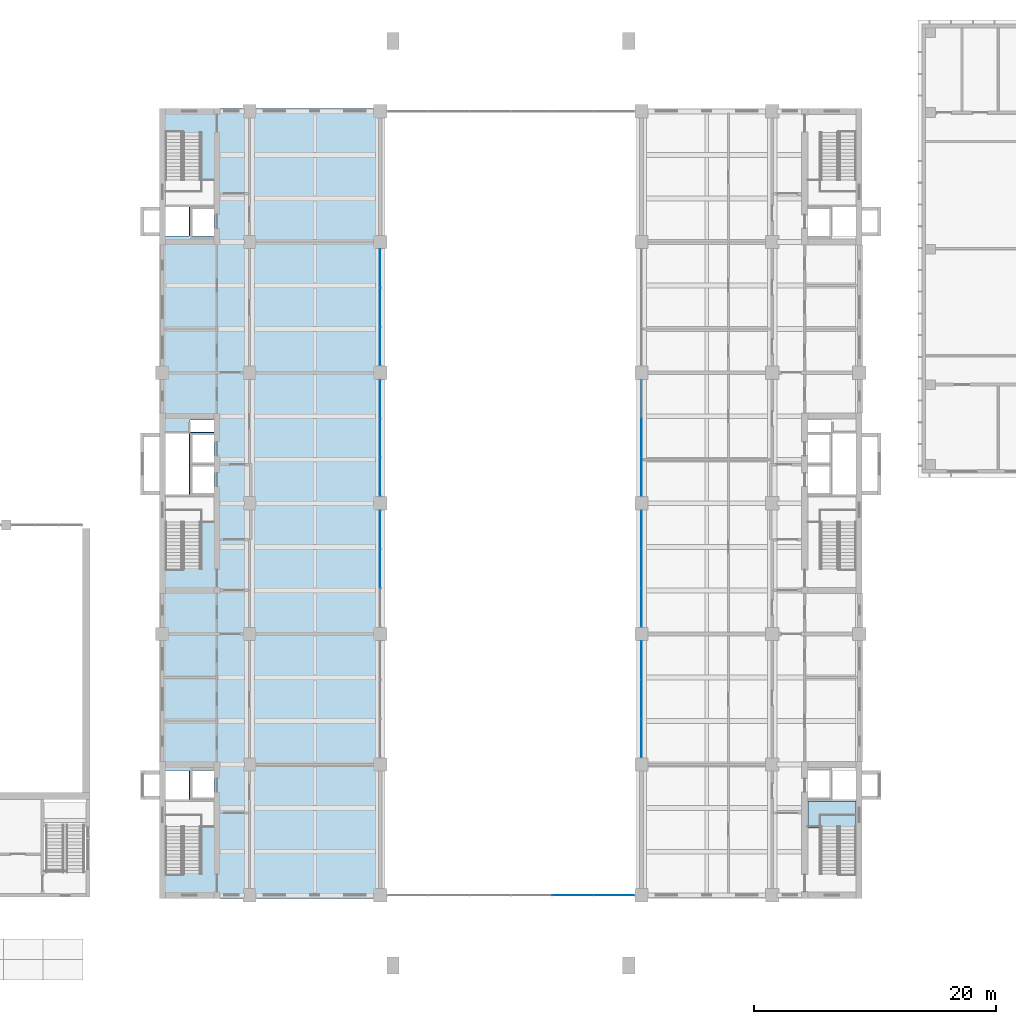
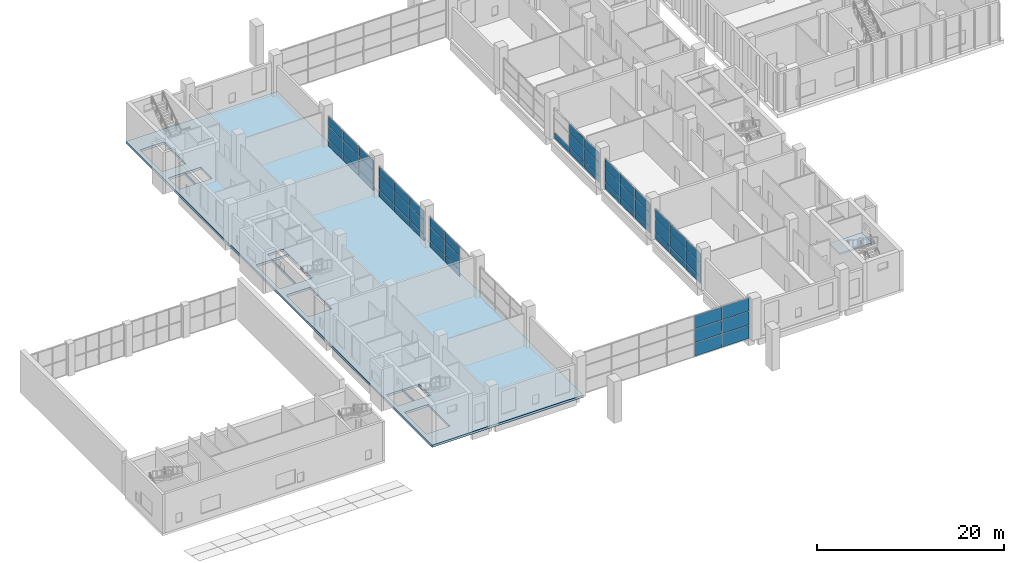
# One storey, part 15 of 33: 55 plates, 2 slabs, 8 elements without a shape of their own.
"""IFC4 building model written with IfcOpenShell, lengths in metres."""

import ifcopenshell
import ifcopenshell.guid

model = None  # the IFC model being written
_history = None  # IfcOwnerHistory: only IFC2X3 demands one
_inside = {}  # id of a spatial element -> (the spatial element, [elements in it])
_under = {}  # id of a project, library or spatial element -> (it, [spatial elements below it])
_declared = {}  # id of a project -> (the project, [libraries it declares])
_typed = {}  # id of a type object -> (the type object, [elements of that type])
_made_of = {}  # id of a material, layer set ... -> (it, [elements and type objects made of it])


def new_model(schema):
    """Start an empty IFC model of exactly this schema.

    Asked for "IFC4X3", IfcOpenShell would pick the latest addendum, in which some entities
    have other attributes; the version numbers below select the first issue.
    IFC2X3 requires an IfcOwnerHistory on every rooted entity: one is made here for all.
    """
    global model, _history
    if schema == "IFC4X3":
        model = ifcopenshell.file(schema_version=(4, 3, 0, 0))
    else:
        model = ifcopenshell.file(schema=schema)
    _inside.clear()
    _under.clear()
    _declared.clear()
    _typed.clear()
    _made_of.clear()
    _history = None
    if model.schema == "IFC2X3":
        org = make("IfcOrganization", Name="unknown")
        user = make(
            "IfcPersonAndOrganization",
            ThePerson=make("IfcPerson", FamilyName="unknown"),
            TheOrganization=org,
        )
        app = make(
            "IfcApplication",
            ApplicationDeveloper=org,
            Version="unknown",
            ApplicationFullName="unknown",
            ApplicationIdentifier="unknown",
        )
        _history = make(
            "IfcOwnerHistory",
            OwningUser=user,
            OwningApplication=app,
            ChangeAction="ADDED",
            CreationDate=0,
        )
    return model


def make(cls, **values):
    """One entity of the class cls with the attributes given. An attribute that is None is left unset."""
    return model.create_entity(
        cls, **{name: value for name, value in values.items() if value is not None}
    )


def rooted(cls, **values):
    """An entity with a GlobalId (a new one), such as an element, a storey or a relation."""
    return make(cls, GlobalId=ifcopenshell.guid.new(), OwnerHistory=_history, **values)


def si_unit(unit_type, name, prefix=None):
    """IfcSIUnit, for example si_unit("LENGTHUNIT", "METRE", prefix="MILLI")."""
    return make("IfcSIUnit", UnitType=unit_type, Prefix=prefix, Name=name)


def assignment(units):
    """IfcUnitAssignment: the units of a project."""
    return None if units is None else make("IfcUnitAssignment", Units=units)


def point(xyz):
    """IfcCartesianPoint."""
    return None if xyz is None else make("IfcCartesianPoint", Coordinates=xyz)


def direction(xyz):
    """IfcDirection."""
    return None if xyz is None else make("IfcDirection", DirectionRatios=xyz)


def frame(location, z_axis=None, x_axis=None):
    """IfcAxis2Placement3D, a coordinate frame: its origin and axes. An axis left out is left unset."""
    return make(
        "IfcAxis2Placement3D",
        Location=point(location),
        Axis=direction(z_axis),
        RefDirection=direction(x_axis),
    )


def frame_2d(location, x_axis=None):
    """IfcAxis2Placement2D, a coordinate frame in the plane: its origin and x axis."""
    return make(
        "IfcAxis2Placement2D", Location=point(location), RefDirection=direction(x_axis)
    )


def origin():
    """The frame at (0, 0, 0) with its axes left unset."""
    return frame((0.0, 0.0, 0.0))


def origin_2d():
    """The frame at (0, 0) in the plane with its x axis left unset."""
    return frame_2d((0.0, 0.0))


def place(relative_to, where):
    """IfcLocalPlacement: puts the frame where relative to a parent placement (None: the world)."""
    return make(
        "IfcLocalPlacement", PlacementRelTo=relative_to, RelativePlacement=where
    )


def context(
    kind, dimensions, precision=None, world=None, true_north=None, identifier=None
):
    """IfcGeometricRepresentationContext, for example the 3D "Model" context."""
    return make(
        "IfcGeometricRepresentationContext",
        ContextIdentifier=identifier,
        ContextType=kind,
        CoordinateSpaceDimension=dimensions,
        Precision=precision,
        WorldCoordinateSystem=world,
        TrueNorth=true_north,
    )


def subcontext(parent, identifier, kind, view, scale=None):
    """IfcGeometricRepresentationSubContext, for example "Body" below "Model"."""
    return make(
        "IfcGeometricRepresentationSubContext",
        ContextIdentifier=identifier,
        ContextType=kind,
        ParentContext=parent,
        TargetScale=scale,
        TargetView=view,
    )


def project(units=None, contexts=None):
    """IfcProject with its units and contexts."""
    return rooted(
        "IfcProject",
        Name="project",
        RepresentationContexts=contexts,
        UnitsInContext=assignment(units),
    )


def spatial(cls, under=None, at=None, **own):
    """A site, building, storey or space (cls), placed at a placement, below another one or the project."""
    s = rooted(cls, ObjectPlacement=at, **own)
    if under is not None:
        _under.setdefault(under.id(), (under, []))[1].append(s)
    return s


def polyline(points):
    """IfcPolyline through the points."""
    return make("IfcPolyline", Points=[point(p) for p in points])


def profile(cls, at=None, kind="AREA", **sizes):
    """A parametric profile (cls). Its sizes go by their IFC names, for example OverallWidth=200.0."""
    return make(cls, ProfileType=kind, Position=at, **sizes)


def rectangle(**sizes):
    """IfcRectangleProfileDef."""
    return profile("IfcRectangleProfileDef", **sizes)


def outline(outer, holes=None, kind="AREA"):
    """IfcArbitraryClosedProfileDef: a profile drawn as a closed curve; with holes, ...WithVoids."""
    if holes is None:
        return make("IfcArbitraryClosedProfileDef", ProfileType=kind, OuterCurve=outer)
    return make(
        "IfcArbitraryProfileDefWithVoids",
        ProfileType=kind,
        OuterCurve=outer,
        InnerCurves=holes,
    )


def extrude(swept, where, along, depth):
    """IfcExtrudedAreaSolid: the profile swept, set in the frame where, extruded along a direction by depth."""
    return make(
        "IfcExtrudedAreaSolid",
        SweptArea=swept,
        Position=where,
        ExtrudedDirection=direction(along),
        Depth=depth,
    )


def shape(context_of_items, identifier, shape_type, items):
    """IfcShapeRepresentation: the items that make up one representation, for example the "Body"."""
    return make(
        "IfcShapeRepresentation",
        ContextOfItems=context_of_items,
        RepresentationIdentifier=identifier,
        RepresentationType=shape_type,
        Items=items,
    )


def material(Name=None, Category=None):
    """IfcMaterial."""
    return make("IfcMaterial", Name=Name, Category=Category)


def layer(
    of_material, thickness, ventilated=None, Name=None, Category=None, Priority=None
):
    """IfcMaterialLayer: one layer of a wall or slab, of a material (None: an air gap)."""
    return make(
        "IfcMaterialLayer",
        Material=of_material,
        LayerThickness=thickness,
        IsVentilated=ventilated,
        Name=Name,
        Category=Category,
        Priority=Priority,
    )


def layer_set(layers, Name=None):
    """IfcMaterialLayerSet."""
    return make("IfcMaterialLayerSet", MaterialLayers=layers, LayerSetName=Name)


def made_of(thing, what):
    """Note that an element or type object is made of a material, layer set ...; save() writes the relation."""
    if what is not None:
        _made_of.setdefault(what.id(), (what, []))[1].append(thing)
    return thing


def type_object(cls, material=None, **own):
    """A type object (cls), such as IfcWallType, which elements share."""
    return made_of(rooted(cls, **own), material)


def element(
    cls,
    number,
    at=None,
    inside=None,
    cuts=None,
    type_object=None,
    material=None,
    context=None,
    identifier="Body",
    shape_type=None,
    held_by="IfcProductDefinitionShape",
    body=None,
    shapes=None,
    **own,
):
    """One element of the class cls, such as IfcWall. Its Tag is "e" and its number.

    at: its placement. inside: the storey or other place that contains it. cuts: it is an
    opening in that element (IfcRelVoidsElement). A single representation is given by context,
    identifier, shape_type and body (its items); several are given by shapes. held_by: the class
    of the entity that holds the representations. save() writes the other relations.
    """
    e = rooted(cls, Tag="e%d" % number, ObjectPlacement=at, **own)
    if body is not None:
        shapes = [shape(context, identifier, shape_type, body)]
    if shapes is not None:
        e.Representation = make(held_by, Representations=shapes)
    if inside is not None:
        _inside.setdefault(inside.id(), (inside, []))[1].append(e)
    if cuts is not None:
        rooted(
            "IfcRelVoidsElement", RelatingBuildingElement=cuts, RelatedOpeningElement=e
        )
    if type_object is not None:
        _typed.setdefault(type_object.id(), (type_object, []))[1].append(e)
    return made_of(e, material)


def aggregate(whole, parts):
    """IfcRelAggregates: a whole, such as a stair, and the parts it consists of."""
    return rooted("IfcRelAggregates", RelatingObject=whole, RelatedObjects=parts)


def save(model, path):
    """Write the relations noted so far, then the file.

    IfcRelAggregates (storeys below a building ...), IfcRelContainedInSpatialStructure (elements
    in a storey), IfcRelDefinesByType, IfcRelAssociatesMaterial and IfcRelDeclares: one each for
    every whole, place, type object, material and project.
    """
    for whole, parts in _under.values():
        aggregate(whole, parts)
    for where, things in _inside.values():
        rooted(
            "IfcRelContainedInSpatialStructure",
            RelatedElements=things,
            RelatingStructure=where,
        )
    for kind, things in _typed.values():
        rooted("IfcRelDefinesByType", RelatedObjects=things, RelatingType=kind)
    for what, things in _made_of.values():
        rooted("IfcRelAssociatesMaterial", RelatedObjects=things, RelatingMaterial=what)
    for by, libraries in _declared.values():
        rooted("IfcRelDeclares", RelatingContext=by, RelatedDefinitions=libraries)
    model.write(path)


model = new_model("IFC4")

# Units and contexts
model_context = context("Model", 3, precision=1e-05, world=origin(), true_north=direction((0.0, 1.0)))
body_context = subcontext(model_context, "Body", "Model", "MODEL_VIEW")
ifc_project = project(units=[si_unit("LENGTHUNIT", "METRE"), si_unit("AREAUNIT", "SQUARE_METRE"), si_unit("VOLUMEUNIT", "CUBIC_METRE"), si_unit("PLANEANGLEUNIT", "RADIAN"), si_unit("MASSUNIT", "GRAM", prefix="KILO")], contexts=[model_context])

# Site, building, storey
site_placement = place(None, origin())
site = spatial("IfcSite", under=ifc_project, at=site_placement, CompositionType="ELEMENT")
building_placement = place(site_placement, origin())
building = spatial("IfcBuilding", under=site, at=building_placement, Name="Basin Gate Institute", CompositionType="ELEMENT")
storey_placement = place(building_placement, frame((0.0, 0.0, 6.0)))
storey = spatial("IfcBuildingStorey", under=building, at=storey_placement, Name="L01", CompositionType="ELEMENT", Elevation=6.0)

# Curtain wall, plates
ifc_material_1 = material(Name="Aluminium and glass curtain wall", Category="aluminium")
ifc_layer_1 = layer(ifc_material_1, 0.14990234375)
ifc_layer_set_1 = layer_set([ifc_layer_1], Name="Atrium curtain wall CW81")
curtain_wall_type_1 = type_object("IfcCurtainWallType", Name="Atrium curtain wall CW81", PredefinedType="NOTDEFINED", material=ifc_layer_set_1)
curtain_wall_1_placement = place(storey_placement, origin())
curtain_wall_1 = element("IfcCurtainWall", 1, at=curtain_wall_1_placement, inside=storey, type_object=curtain_wall_type_1, material=ifc_layer_set_1, Name="Atrium end screen S L01", PredefinedType="NOTDEFINED")
ifc_material_2 = material(Name="Toughened glass", Category="glass")
ifc_layer_2 = layer(ifc_material_2, 0.028076171875)
ifc_layer_set_2 = layer_set([ifc_layer_2], Name="Atrium glass panel PN81")
plate_type_1 = type_object("IfcPlateType", Name="Atrium glass panel PN81", PredefinedType="CURTAIN_PANEL", material=ifc_layer_set_2)
plate_1_placement = place(storey_placement, frame((95.125, 35.10009765625, 0.06005859375), z_axis=(0.0, 0.0, 1.0), x_axis=(1.0, 0.0, 0.0)))
plate_1 = element("IfcPlate", 2, at=plate_1_placement, type_object=plate_type_1, material=ifc_layer_set_2, Name="CW81 panel 5.1", PredefinedType="CURTAIN_PANEL", context=body_context, shape_type="SweptSolid", body=[
    extrude(rectangle(XDim=3.356689453125, YDim=0.028076171875, at=origin_2d()), origin(), (0.0, 0.0, 1.0), 1.7099609375),
])
plate_2_placement = place(storey_placement, frame((95.125, 35.10009765625, 1.830078125), z_axis=(0.0, 0.0, 1.0), x_axis=(1.0, 0.0, 0.0)))
plate_2 = element("IfcPlate", 3, at=plate_2_placement, type_object=plate_type_1, material=ifc_layer_set_2, Name="CW81 panel 5.2", PredefinedType="CURTAIN_PANEL", context=body_context, shape_type="SweptSolid", body=[
    extrude(rectangle(XDim=3.356689453125, YDim=0.028076171875, at=origin_2d()), origin(), (0.0, 0.0, 1.0), 1.739990234375),
])
plate_3_placement = place(storey_placement, frame((95.125, 35.10009765625, 3.630126953125), z_axis=(0.0, 0.0, 1.0), x_axis=(1.0, 0.0, 0.0)))
plate_3 = element("IfcPlate", 4, at=plate_3_placement, type_object=plate_type_1, material=ifc_layer_set_2, Name="CW81 panel 5.3", PredefinedType="CURTAIN_PANEL", context=body_context, shape_type="SweptSolid", body=[
    extrude(rectangle(XDim=3.356689453125, YDim=0.028076171875, at=origin_2d()), origin(), (0.0, 0.0, 1.0), 1.7099609375),
])
plate_4_placement = place(storey_placement, frame((98.526611328125, 35.10009765625, 0.06005859375), z_axis=(0.0, 0.0, 1.0), x_axis=(1.0, 0.0, 0.0)))
plate_4 = element("IfcPlate", 5, at=plate_4_placement, type_object=plate_type_1, material=ifc_layer_set_2, Name="CW81 panel 6.1", PredefinedType="CURTAIN_PANEL", context=body_context, shape_type="SweptSolid", body=[
    extrude(rectangle(XDim=3.32666015625, YDim=0.028076171875, at=origin_2d()), origin(), (0.0, 0.0, 1.0), 1.7099609375),
])
plate_5_placement = place(storey_placement, frame((98.526611328125, 35.10009765625, 1.830078125), z_axis=(0.0, 0.0, 1.0), x_axis=(1.0, 0.0, 0.0)))
plate_5 = element("IfcPlate", 6, at=plate_5_placement, type_object=plate_type_1, material=ifc_layer_set_2, Name="CW81 panel 6.2", PredefinedType="CURTAIN_PANEL", context=body_context, shape_type="SweptSolid", body=[
    extrude(rectangle(XDim=3.32666015625, YDim=0.028076171875, at=origin_2d()), origin(), (0.0, 0.0, 1.0), 1.739990234375),
])
plate_6_placement = place(storey_placement, frame((98.526611328125, 35.10009765625, 3.630126953125), z_axis=(0.0, 0.0, 1.0), x_axis=(1.0, 0.0, 0.0)))
plate_6 = element("IfcPlate", 7, at=plate_6_placement, type_object=plate_type_1, material=ifc_layer_set_2, Name="CW81 panel 6.3", PredefinedType="CURTAIN_PANEL", context=body_context, shape_type="SweptSolid", body=[
    extrude(rectangle(XDim=3.32666015625, YDim=0.028076171875, at=origin_2d()), origin(), (0.0, 0.0, 1.0), 1.7099609375),
])
aggregate(curtain_wall_1, [plate_1, plate_2, plate_3, plate_4, plate_5, plate_6])

# Slab
ifc_material_3 = material(Name="Concrete 40 MPa", Category="concrete")
ifc_layer_3 = layer(ifc_material_3, 0.300048828125)
ifc_layer_set_3 = layer_set([ifc_layer_3], Name="Concrete 40 MPa")
slab_type_1 = type_object("IfcSlabType", Name="Slab SL3 R180", PredefinedType="FLOOR", material=ifc_layer_set_3)
slab_1_placement = place(storey_placement, frame((0.0, 0.0, -0.300048828125)))
element("IfcSlab", 8, at=slab_1_placement, inside=storey, type_object=slab_type_1, material=ifc_layer_set_3, Name="SLAB/L01/W", PredefinedType="FLOOR", context=body_context, shape_type="SweptSolid", body=[
    extrude(outline(polyline([(60.949951171875, 34.85009765625), (79.60009765625, 34.85009765625), (79.60009765625, 100.14990234375), (60.949951171875, 100.14990234375), (60.949951171875, 34.85009765625)]), holes=[polyline([(61.449951171875, 36.969970703125), (64.39990234375, 36.969970703125), (64.39990234375, 41.6298828125), (61.449951171875, 41.6298828125), (61.449951171875, 36.969970703125)]), polyline([(61.449951171875, 62.169921875), (64.39990234375, 62.169921875), (64.39990234375, 66.830078125), (61.449951171875, 66.830078125), (61.449951171875, 62.169921875)]), polyline([(61.449951171875, 93.3701171875), (64.39990234375, 93.3701171875), (64.39990234375, 98.030029296875), (61.449951171875, 98.030029296875), (61.449951171875, 93.3701171875)]), polyline([(61.449951171875, 43.0), (63.39990234375, 43.0), (63.39990234375, 45.39990234375), (61.449951171875, 45.39990234375), (61.449951171875, 43.0)]), polyline([(61.449951171875, 68.199951171875), (63.39990234375, 68.199951171875), (63.39990234375, 73.300048828125), (61.449951171875, 73.300048828125), (61.449951171875, 68.199951171875)]), polyline([(63.5, 73.39990234375), (65.449951171875, 73.39990234375), (65.449951171875, 74.39990234375), (63.5, 74.39990234375), (63.5, 73.39990234375)]), polyline([(61.449951171875, 89.60009765625), (63.39990234375, 89.60009765625), (63.39990234375, 92.0), (61.449951171875, 92.0), (61.449951171875, 89.60009765625)]), polyline([(63.5, 43.0), (65.449951171875, 43.0), (65.449951171875, 45.39990234375), (63.5, 45.39990234375), (63.5, 43.0)]), polyline([(65.449951171875, 68.199951171875), (63.5, 68.199951171875), (63.5, 73.300048828125), (65.449951171875, 73.300048828125), (65.449951171875, 68.199951171875)]), polyline([(63.5, 89.60009765625), (65.449951171875, 89.60009765625), (65.449951171875, 92.0), (63.5, 92.0), (63.5, 89.60009765625)])]), origin(), (0.0, 0.0, 1.0), 0.300048828125),
])

# Curtain wall, plates
ifc_material_4 = material(Name="Fire-resistant glazing in steel-free frame", Category="steel")
ifc_layer_4 = layer(ifc_material_4, 0.199951171875)
ifc_layer_set_4 = layer_set([ifc_layer_4], Name="Fire-resistant glazing in steel-free frame")
curtain_wall_type_2 = type_object("IfcCurtainWallType", Name="Atrium rated curtain wall CW3", PredefinedType="NOTDEFINED", material=ifc_layer_set_4)
curtain_wall_2_placement = place(storey_placement, origin())
curtain_wall_2 = element("IfcCurtainWall", 9, at=curtain_wall_2_placement, inside=storey, type_object=curtain_wall_type_2, material=ifc_layer_set_4, Name="Atrium rated curtain wall W wing atrium bay 3 L01", PredefinedType="NOTDEFINED")
ifc_material_5 = material(Name="Fire-resisting board panel")
ifc_layer_5 = layer(ifc_material_5, 0.050048828125)
ifc_layer_set_5 = layer_set([ifc_layer_5], Name="Spandrel panel PN4")
plate_type_2 = type_object("IfcPlateType", Name="Spandrel panel PN4", PredefinedType="CURTAIN_PANEL", material=ifc_layer_set_5)
plate_7_placement = place(storey_placement, frame((79.199951171875, 62.10009765625, 0.06005859375), z_axis=(0.0, 0.0, 1.0), x_axis=(0.0, 1.0, 0.0)))
plate_7 = element("IfcPlate", 10, at=plate_7_placement, type_object=plate_type_2, material=ifc_layer_set_5, Name="CW3 spandrel panel 2.1", PredefinedType="CURTAIN_PANEL", context=body_context, shape_type="SweptSolid", body=[
    extrude(rectangle(XDim=3.17333984375, YDim=0.050048828125, at=origin_2d()), origin(), (0.0, 0.0, 1.0), 0.81005859375),
])
plate_8_placement = place(storey_placement, frame((79.199951171875, 62.10009765625, 2.72998046875), z_axis=(0.0, 0.0, 1.0), x_axis=(0.0, 1.0, 0.0)))
plate_8 = element("IfcPlate", 11, at=plate_8_placement, type_object=plate_type_2, material=ifc_layer_set_5, Name="CW3 spandrel panel 2.3", PredefinedType="CURTAIN_PANEL", context=body_context, shape_type="SweptSolid", body=[
    extrude(rectangle(XDim=3.17333984375, YDim=0.050048828125, at=origin_2d()), origin(), (0.0, 0.0, 1.0), 1.2099609375),
])
plate_9_placement = place(storey_placement, frame((79.199951171875, 65.318359375, 0.06005859375), z_axis=(0.0, 0.0, 1.0), x_axis=(0.0, 1.0, 0.0)))
plate_9 = element("IfcPlate", 12, at=plate_9_placement, type_object=plate_type_2, material=ifc_layer_set_5, Name="CW3 spandrel panel 3.1", PredefinedType="CURTAIN_PANEL", context=body_context, shape_type="SweptSolid", body=[
    extrude(rectangle(XDim=3.143310546875, YDim=0.050048828125, at=origin_2d()), origin(), (0.0, 0.0, 1.0), 0.81005859375),
])
plate_10_placement = place(storey_placement, frame((79.199951171875, 65.318359375, 2.72998046875), z_axis=(0.0, 0.0, 1.0), x_axis=(0.0, 1.0, 0.0)))
plate_10 = element("IfcPlate", 13, at=plate_10_placement, type_object=plate_type_2, material=ifc_layer_set_5, Name="CW3 spandrel panel 3.3", PredefinedType="CURTAIN_PANEL", context=body_context, shape_type="SweptSolid", body=[
    extrude(rectangle(XDim=3.143310546875, YDim=0.050048828125, at=origin_2d()), origin(), (0.0, 0.0, 1.0), 1.2099609375),
])

curtain_wall_3_placement = place(storey_placement, origin())
curtain_wall_3 = element("IfcCurtainWall", 14, at=curtain_wall_3_placement, inside=storey, type_object=curtain_wall_type_2, material=ifc_layer_set_4, Name="Atrium rated curtain wall W wing atrium bay 4 L01", PredefinedType="NOTDEFINED")
plate_11_placement = place(storey_placement, frame((79.199951171875, 69.681640625, 0.06005859375), z_axis=(0.0, 0.0, 1.0), x_axis=(0.0, 1.0, 0.0)))
plate_11 = element("IfcPlate", 15, at=plate_11_placement, type_object=plate_type_2, material=ifc_layer_set_5, Name="CW3 spandrel panel 1.1", PredefinedType="CURTAIN_PANEL", context=body_context, shape_type="SweptSolid", body=[
    extrude(rectangle(XDim=3.143310546875, YDim=0.050048828125, at=origin_2d()), origin(), (0.0, 0.0, 1.0), 0.81005859375),
])
plate_12_placement = place(storey_placement, frame((79.199951171875, 69.681640625, 2.72998046875), z_axis=(0.0, 0.0, 1.0), x_axis=(0.0, 1.0, 0.0)))
plate_12 = element("IfcPlate", 16, at=plate_12_placement, type_object=plate_type_2, material=ifc_layer_set_5, Name="CW3 spandrel panel 1.3", PredefinedType="CURTAIN_PANEL", context=body_context, shape_type="SweptSolid", body=[
    extrude(rectangle(XDim=3.143310546875, YDim=0.050048828125, at=origin_2d()), origin(), (0.0, 0.0, 1.0), 1.2099609375),
])
plate_13_placement = place(storey_placement, frame((79.199951171875, 72.89990234375, 0.06005859375), z_axis=(0.0, 0.0, 1.0), x_axis=(0.0, 1.0, 0.0)))
plate_13 = element("IfcPlate", 17, at=plate_13_placement, type_object=plate_type_2, material=ifc_layer_set_5, Name="CW3 spandrel panel 2.1", PredefinedType="CURTAIN_PANEL", context=body_context, shape_type="SweptSolid", body=[
    extrude(rectangle(XDim=3.17333984375, YDim=0.050048828125, at=origin_2d()), origin(), (0.0, 0.0, 1.0), 0.81005859375),
])
plate_14_placement = place(storey_placement, frame((79.199951171875, 72.89990234375, 2.72998046875), z_axis=(0.0, 0.0, 1.0), x_axis=(0.0, 1.0, 0.0)))
plate_14 = element("IfcPlate", 18, at=plate_14_placement, type_object=plate_type_2, material=ifc_layer_set_5, Name="CW3 spandrel panel 2.3", PredefinedType="CURTAIN_PANEL", context=body_context, shape_type="SweptSolid", body=[
    extrude(rectangle(XDim=3.17333984375, YDim=0.050048828125, at=origin_2d()), origin(), (0.0, 0.0, 1.0), 1.2099609375),
])
plate_15_placement = place(storey_placement, frame((79.199951171875, 76.118408203125, 0.06005859375), z_axis=(0.0, 0.0, 1.0), x_axis=(0.0, 1.0, 0.0)))
plate_15 = element("IfcPlate", 19, at=plate_15_placement, type_object=plate_type_2, material=ifc_layer_set_5, Name="CW3 spandrel panel 3.1", PredefinedType="CURTAIN_PANEL", context=body_context, shape_type="SweptSolid", body=[
    extrude(rectangle(XDim=3.143310546875, YDim=0.050048828125, at=origin_2d()), origin(), (0.0, 0.0, 1.0), 0.81005859375),
])
plate_16_placement = place(storey_placement, frame((79.199951171875, 76.118408203125, 2.72998046875), z_axis=(0.0, 0.0, 1.0), x_axis=(0.0, 1.0, 0.0)))
plate_16 = element("IfcPlate", 20, at=plate_16_placement, type_object=plate_type_2, material=ifc_layer_set_5, Name="CW3 spandrel panel 3.3", PredefinedType="CURTAIN_PANEL", context=body_context, shape_type="SweptSolid", body=[
    extrude(rectangle(XDim=3.143310546875, YDim=0.050048828125, at=origin_2d()), origin(), (0.0, 0.0, 1.0), 1.2099609375),
])

curtain_wall_4_placement = place(storey_placement, origin())
curtain_wall_4 = element("IfcCurtainWall", 21, at=curtain_wall_4_placement, inside=storey, type_object=curtain_wall_type_2, material=ifc_layer_set_4, Name="Atrium rated curtain wall W wing atrium bay 5 L01", PredefinedType="NOTDEFINED")
plate_17_placement = place(storey_placement, frame((79.199951171875, 80.481689453125, 0.06005859375), z_axis=(0.0, 0.0, 1.0), x_axis=(0.0, 1.0, 0.0)))
plate_17 = element("IfcPlate", 22, at=plate_17_placement, type_object=plate_type_2, material=ifc_layer_set_5, Name="CW3 spandrel panel 1.1", PredefinedType="CURTAIN_PANEL", context=body_context, shape_type="SweptSolid", body=[
    extrude(rectangle(XDim=3.143310546875, YDim=0.050048828125, at=origin_2d()), origin(), (0.0, 0.0, 1.0), 0.81005859375),
])
plate_18_placement = place(storey_placement, frame((79.199951171875, 80.481689453125, 2.72998046875), z_axis=(0.0, 0.0, 1.0), x_axis=(0.0, 1.0, 0.0)))
plate_18 = element("IfcPlate", 23, at=plate_18_placement, type_object=plate_type_2, material=ifc_layer_set_5, Name="CW3 spandrel panel 1.3", PredefinedType="CURTAIN_PANEL", context=body_context, shape_type="SweptSolid", body=[
    extrude(rectangle(XDim=3.143310546875, YDim=0.050048828125, at=origin_2d()), origin(), (0.0, 0.0, 1.0), 1.2099609375),
])
plate_19_placement = place(storey_placement, frame((79.199951171875, 83.699951171875, 0.06005859375), z_axis=(0.0, 0.0, 1.0), x_axis=(0.0, 1.0, 0.0)))
plate_19 = element("IfcPlate", 24, at=plate_19_placement, type_object=plate_type_2, material=ifc_layer_set_5, Name="CW3 spandrel panel 2.1", PredefinedType="CURTAIN_PANEL", context=body_context, shape_type="SweptSolid", body=[
    extrude(rectangle(XDim=3.17333984375, YDim=0.050048828125, at=origin_2d()), origin(), (0.0, 0.0, 1.0), 0.81005859375),
])
plate_20_placement = place(storey_placement, frame((79.199951171875, 83.699951171875, 2.72998046875), z_axis=(0.0, 0.0, 1.0), x_axis=(0.0, 1.0, 0.0)))
plate_20 = element("IfcPlate", 25, at=plate_20_placement, type_object=plate_type_2, material=ifc_layer_set_5, Name="CW3 spandrel panel 2.3", PredefinedType="CURTAIN_PANEL", context=body_context, shape_type="SweptSolid", body=[
    extrude(rectangle(XDim=3.17333984375, YDim=0.050048828125, at=origin_2d()), origin(), (0.0, 0.0, 1.0), 1.2099609375),
])
plate_21_placement = place(storey_placement, frame((79.199951171875, 86.918212890625, 0.06005859375), z_axis=(0.0, 0.0, 1.0), x_axis=(0.0, 1.0, 0.0)))
plate_21 = element("IfcPlate", 26, at=plate_21_placement, type_object=plate_type_2, material=ifc_layer_set_5, Name="CW3 spandrel panel 3.1", PredefinedType="CURTAIN_PANEL", context=body_context, shape_type="SweptSolid", body=[
    extrude(rectangle(XDim=3.143310546875, YDim=0.050048828125, at=origin_2d()), origin(), (0.0, 0.0, 1.0), 0.81005859375),
])
plate_22_placement = place(storey_placement, frame((79.199951171875, 86.918212890625, 2.72998046875), z_axis=(0.0, 0.0, 1.0), x_axis=(0.0, 1.0, 0.0)))
plate_22 = element("IfcPlate", 27, at=plate_22_placement, type_object=plate_type_2, material=ifc_layer_set_5, Name="CW3 spandrel panel 3.3", PredefinedType="CURTAIN_PANEL", context=body_context, shape_type="SweptSolid", body=[
    extrude(rectangle(XDim=3.143310546875, YDim=0.050048828125, at=origin_2d()), origin(), (0.0, 0.0, 1.0), 1.2099609375),
])

curtain_wall_5_placement = place(storey_placement, origin())
curtain_wall_5 = element("IfcCurtainWall", 28, at=curtain_wall_5_placement, inside=storey, type_object=curtain_wall_type_2, material=ifc_layer_set_4, Name="Atrium rated curtain wall E wing atrium bay 2 L01", PredefinedType="NOTDEFINED")
plate_23_placement = place(storey_placement, frame((100.800048828125, 48.081787109375, 0.06005859375), z_axis=(0.0, 0.0, 1.0), x_axis=(0.0, 1.0, 0.0)))
plate_23 = element("IfcPlate", 29, at=plate_23_placement, type_object=plate_type_2, material=ifc_layer_set_5, Name="CW3 spandrel panel 1.1", PredefinedType="CURTAIN_PANEL", context=body_context, shape_type="SweptSolid", body=[
    extrude(rectangle(XDim=3.143310546875, YDim=0.050048828125, at=origin_2d()), origin(), (0.0, 0.0, 1.0), 0.81005859375),
])
plate_24_placement = place(storey_placement, frame((100.800048828125, 48.081787109375, 2.72998046875), z_axis=(0.0, 0.0, 1.0), x_axis=(0.0, 1.0, 0.0)))
plate_24 = element("IfcPlate", 30, at=plate_24_placement, type_object=plate_type_2, material=ifc_layer_set_5, Name="CW3 spandrel panel 1.3", PredefinedType="CURTAIN_PANEL", context=body_context, shape_type="SweptSolid", body=[
    extrude(rectangle(XDim=3.143310546875, YDim=0.050048828125, at=origin_2d()), origin(), (0.0, 0.0, 1.0), 1.2099609375),
])
plate_25_placement = place(storey_placement, frame((100.800048828125, 51.300048828125, 0.06005859375), z_axis=(0.0, 0.0, 1.0), x_axis=(0.0, 1.0, 0.0)))
plate_25 = element("IfcPlate", 31, at=plate_25_placement, type_object=plate_type_2, material=ifc_layer_set_5, Name="CW3 spandrel panel 2.1", PredefinedType="CURTAIN_PANEL", context=body_context, shape_type="SweptSolid", body=[
    extrude(rectangle(XDim=3.17333984375, YDim=0.050048828125, at=origin_2d()), origin(), (0.0, 0.0, 1.0), 0.81005859375),
])
plate_26_placement = place(storey_placement, frame((100.800048828125, 51.300048828125, 2.72998046875), z_axis=(0.0, 0.0, 1.0), x_axis=(0.0, 1.0, 0.0)))
plate_26 = element("IfcPlate", 32, at=plate_26_placement, type_object=plate_type_2, material=ifc_layer_set_5, Name="CW3 spandrel panel 2.3", PredefinedType="CURTAIN_PANEL", context=body_context, shape_type="SweptSolid", body=[
    extrude(rectangle(XDim=3.17333984375, YDim=0.050048828125, at=origin_2d()), origin(), (0.0, 0.0, 1.0), 1.2099609375),
])
plate_27_placement = place(storey_placement, frame((100.800048828125, 54.518310546875, 0.06005859375), z_axis=(0.0, 0.0, 1.0), x_axis=(0.0, 1.0, 0.0)))
plate_27 = element("IfcPlate", 33, at=plate_27_placement, type_object=plate_type_2, material=ifc_layer_set_5, Name="CW3 spandrel panel 3.1", PredefinedType="CURTAIN_PANEL", context=body_context, shape_type="SweptSolid", body=[
    extrude(rectangle(XDim=3.143310546875, YDim=0.050048828125, at=origin_2d()), origin(), (0.0, 0.0, 1.0), 0.81005859375),
])
plate_28_placement = place(storey_placement, frame((100.800048828125, 54.518310546875, 2.72998046875), z_axis=(0.0, 0.0, 1.0), x_axis=(0.0, 1.0, 0.0)))
plate_28 = element("IfcPlate", 34, at=plate_28_placement, type_object=plate_type_2, material=ifc_layer_set_5, Name="CW3 spandrel panel 3.3", PredefinedType="CURTAIN_PANEL", context=body_context, shape_type="SweptSolid", body=[
    extrude(rectangle(XDim=3.143310546875, YDim=0.050048828125, at=origin_2d()), origin(), (0.0, 0.0, 1.0), 1.2099609375),
])

curtain_wall_6_placement = place(storey_placement, origin())
curtain_wall_6 = element("IfcCurtainWall", 35, at=curtain_wall_6_placement, inside=storey, type_object=curtain_wall_type_2, material=ifc_layer_set_4, Name="Atrium rated curtain wall E wing atrium bay 3 L01", PredefinedType="NOTDEFINED")
plate_29_placement = place(storey_placement, frame((100.800048828125, 58.881591796875, 0.06005859375), z_axis=(0.0, 0.0, 1.0), x_axis=(0.0, 1.0, 0.0)))
plate_29 = element("IfcPlate", 36, at=plate_29_placement, type_object=plate_type_2, material=ifc_layer_set_5, Name="CW3 spandrel panel 1.1", PredefinedType="CURTAIN_PANEL", context=body_context, shape_type="SweptSolid", body=[
    extrude(rectangle(XDim=3.143310546875, YDim=0.050048828125, at=origin_2d()), origin(), (0.0, 0.0, 1.0), 0.81005859375),
])
plate_30_placement = place(storey_placement, frame((100.800048828125, 58.881591796875, 2.72998046875), z_axis=(0.0, 0.0, 1.0), x_axis=(0.0, 1.0, 0.0)))
plate_30 = element("IfcPlate", 37, at=plate_30_placement, type_object=plate_type_2, material=ifc_layer_set_5, Name="CW3 spandrel panel 1.3", PredefinedType="CURTAIN_PANEL", context=body_context, shape_type="SweptSolid", body=[
    extrude(rectangle(XDim=3.143310546875, YDim=0.050048828125, at=origin_2d()), origin(), (0.0, 0.0, 1.0), 1.2099609375),
])
plate_31_placement = place(storey_placement, frame((100.800048828125, 62.10009765625, 0.06005859375), z_axis=(0.0, 0.0, 1.0), x_axis=(0.0, 1.0, 0.0)))
plate_31 = element("IfcPlate", 38, at=plate_31_placement, type_object=plate_type_2, material=ifc_layer_set_5, Name="CW3 spandrel panel 2.1", PredefinedType="CURTAIN_PANEL", context=body_context, shape_type="SweptSolid", body=[
    extrude(rectangle(XDim=3.17333984375, YDim=0.050048828125, at=origin_2d()), origin(), (0.0, 0.0, 1.0), 0.81005859375),
])
plate_32_placement = place(storey_placement, frame((100.800048828125, 62.10009765625, 2.72998046875), z_axis=(0.0, 0.0, 1.0), x_axis=(0.0, 1.0, 0.0)))
plate_32 = element("IfcPlate", 39, at=plate_32_placement, type_object=plate_type_2, material=ifc_layer_set_5, Name="CW3 spandrel panel 2.3", PredefinedType="CURTAIN_PANEL", context=body_context, shape_type="SweptSolid", body=[
    extrude(rectangle(XDim=3.17333984375, YDim=0.050048828125, at=origin_2d()), origin(), (0.0, 0.0, 1.0), 1.2099609375),
])
plate_33_placement = place(storey_placement, frame((100.800048828125, 65.318359375, 0.06005859375), z_axis=(0.0, 0.0, 1.0), x_axis=(0.0, 1.0, 0.0)))
plate_33 = element("IfcPlate", 40, at=plate_33_placement, type_object=plate_type_2, material=ifc_layer_set_5, Name="CW3 spandrel panel 3.1", PredefinedType="CURTAIN_PANEL", context=body_context, shape_type="SweptSolid", body=[
    extrude(rectangle(XDim=3.143310546875, YDim=0.050048828125, at=origin_2d()), origin(), (0.0, 0.0, 1.0), 0.81005859375),
])
plate_34_placement = place(storey_placement, frame((100.800048828125, 65.318359375, 2.72998046875), z_axis=(0.0, 0.0, 1.0), x_axis=(0.0, 1.0, 0.0)))
plate_34 = element("IfcPlate", 41, at=plate_34_placement, type_object=plate_type_2, material=ifc_layer_set_5, Name="CW3 spandrel panel 3.3", PredefinedType="CURTAIN_PANEL", context=body_context, shape_type="SweptSolid", body=[
    extrude(rectangle(XDim=3.143310546875, YDim=0.050048828125, at=origin_2d()), origin(), (0.0, 0.0, 1.0), 1.2099609375),
])

curtain_wall_7_placement = place(storey_placement, origin())
curtain_wall_7 = element("IfcCurtainWall", 42, at=curtain_wall_7_placement, inside=storey, type_object=curtain_wall_type_2, material=ifc_layer_set_4, Name="Atrium rated curtain wall E wing atrium bay 4 L01", PredefinedType="NOTDEFINED")
plate_35_placement = place(storey_placement, frame((100.800048828125, 69.681640625, 0.06005859375), z_axis=(0.0, 0.0, 1.0), x_axis=(0.0, 1.0, 0.0)))
plate_35 = element("IfcPlate", 43, at=plate_35_placement, type_object=plate_type_2, material=ifc_layer_set_5, Name="CW3 spandrel panel 1.1", PredefinedType="CURTAIN_PANEL", context=body_context, shape_type="SweptSolid", body=[
    extrude(rectangle(XDim=3.143310546875, YDim=0.050048828125, at=origin_2d()), origin(), (0.0, 0.0, 1.0), 0.81005859375),
])
plate_36_placement = place(storey_placement, frame((100.800048828125, 69.681640625, 2.72998046875), z_axis=(0.0, 0.0, 1.0), x_axis=(0.0, 1.0, 0.0)))
plate_36 = element("IfcPlate", 44, at=plate_36_placement, type_object=plate_type_2, material=ifc_layer_set_5, Name="CW3 spandrel panel 1.3", PredefinedType="CURTAIN_PANEL", context=body_context, shape_type="SweptSolid", body=[
    extrude(rectangle(XDim=3.143310546875, YDim=0.050048828125, at=origin_2d()), origin(), (0.0, 0.0, 1.0), 1.2099609375),
])
plate_37_placement = place(storey_placement, frame((100.800048828125, 72.89990234375, 0.06005859375), z_axis=(0.0, 0.0, 1.0), x_axis=(0.0, 1.0, 0.0)))
plate_37 = element("IfcPlate", 45, at=plate_37_placement, type_object=plate_type_2, material=ifc_layer_set_5, Name="CW3 spandrel panel 2.1", PredefinedType="CURTAIN_PANEL", context=body_context, shape_type="SweptSolid", body=[
    extrude(rectangle(XDim=3.17333984375, YDim=0.050048828125, at=origin_2d()), origin(), (0.0, 0.0, 1.0), 0.81005859375),
])
plate_38_placement = place(storey_placement, frame((100.800048828125, 72.89990234375, 2.72998046875), z_axis=(0.0, 0.0, 1.0), x_axis=(0.0, 1.0, 0.0)))
plate_38 = element("IfcPlate", 46, at=plate_38_placement, type_object=plate_type_2, material=ifc_layer_set_5, Name="CW3 spandrel panel 2.3", PredefinedType="CURTAIN_PANEL", context=body_context, shape_type="SweptSolid", body=[
    extrude(rectangle(XDim=3.17333984375, YDim=0.050048828125, at=origin_2d()), origin(), (0.0, 0.0, 1.0), 1.2099609375),
])
plate_39_placement = place(storey_placement, frame((100.800048828125, 76.118408203125, 0.06005859375), z_axis=(0.0, 0.0, 1.0), x_axis=(0.0, 1.0, 0.0)))
plate_39 = element("IfcPlate", 47, at=plate_39_placement, type_object=plate_type_2, material=ifc_layer_set_5, Name="CW3 spandrel panel 3.1", PredefinedType="CURTAIN_PANEL", context=body_context, shape_type="SweptSolid", body=[
    extrude(rectangle(XDim=3.143310546875, YDim=0.050048828125, at=origin_2d()), origin(), (0.0, 0.0, 1.0), 0.81005859375),
])

# Stair, slab
ifc_material_6 = material(Name="Concrete 40 MPa", Category="concrete")
stair_type = type_object("IfcStairType", Name="Stair ST", PredefinedType="HALF_TURN_STAIR", material=ifc_material_6)
stair_placement = place(storey_placement, origin())
stair = element("IfcStair", 48, at=stair_placement, inside=storey, type_object=stair_type, material=ifc_material_6, Name="Special safe stair ST-ES L01", PredefinedType="HALF_TURN_STAIR")
ifc_material_7 = material(Name="Concrete 40 MPa", Category="concrete")
ifc_layer_6 = layer(ifc_material_7, 0.199951171875)
ifc_layer_set_6 = layer_set([ifc_layer_6], Name="Concrete 40 MPa")
slab_type_2 = type_object("IfcSlabType", Name="Stair landing LN REI 180", PredefinedType="LANDING", material=ifc_layer_set_6)
slab_2_placement = place(storey_placement, frame((0.0, 0.0, 2.5)))
slab_2 = element("IfcSlab", 49, at=slab_2_placement, type_object=slab_type_2, material=ifc_layer_set_6, Name="Stair landing ST-ES-L1 L01", PredefinedType="LANDING", context=body_context, shape_type="SweptSolid", body=[
    extrude(outline(polyline([(118.550048828125, 42.85009765625), (114.550048828125, 42.85009765625), (114.550048828125, 40.64990234375), (118.550048828125, 40.64990234375), (118.550048828125, 42.85009765625)])), origin(), (0.0, 0.0, 1.0), 0.199951171875),
])
aggregate(stair, [slab_2])

# Plate
ifc_material_8 = material(Name="Fire-resistant glazing", Category="glass")
ifc_layer_7 = layer(ifc_material_8, 0.0400390625)
ifc_layer_set_7 = layer_set([ifc_layer_7], Name="Vision panel PN3")
plate_type_3 = type_object("IfcPlateType", Name="Vision panel PN3", PredefinedType="CURTAIN_PANEL", material=ifc_layer_set_7)
plate_40_placement = place(storey_placement, frame((79.199951171875, 62.10009765625, 0.93017578125), z_axis=(0.0, 0.0, 1.0), x_axis=(0.0, 1.0, 0.0)))
plate_40 = element("IfcPlate", 50, at=plate_40_placement, type_object=plate_type_3, material=ifc_layer_set_7, Name="CW3 vision panel 2.2", PredefinedType="CURTAIN_PANEL", context=body_context, shape_type="SweptSolid", body=[
    extrude(rectangle(XDim=3.17333984375, YDim=0.0400390625, at=origin_2d()), origin(), (0.0, 0.0, 1.0), 1.739990234375),
])

plate_41_placement = place(storey_placement, frame((79.199951171875, 65.318359375, 0.93017578125), z_axis=(0.0, 0.0, 1.0), x_axis=(0.0, 1.0, 0.0)))
plate_41 = element("IfcPlate", 51, at=plate_41_placement, type_object=plate_type_3, material=ifc_layer_set_7, Name="CW3 vision panel 3.2", PredefinedType="CURTAIN_PANEL", context=body_context, shape_type="SweptSolid", body=[
    extrude(rectangle(XDim=3.143310546875, YDim=0.0400390625, at=origin_2d()), origin(), (0.0, 0.0, 1.0), 1.739990234375),
])

aggregate(curtain_wall_2, [plate_7, plate_40, plate_8, plate_9, plate_41, plate_10])

plate_42_placement = place(storey_placement, frame((79.199951171875, 69.681640625, 0.93017578125), z_axis=(0.0, 0.0, 1.0), x_axis=(0.0, 1.0, 0.0)))
plate_42 = element("IfcPlate", 52, at=plate_42_placement, type_object=plate_type_3, material=ifc_layer_set_7, Name="CW3 vision panel 1.2", PredefinedType="CURTAIN_PANEL", context=body_context, shape_type="SweptSolid", body=[
    extrude(rectangle(XDim=3.143310546875, YDim=0.0400390625, at=origin_2d()), origin(), (0.0, 0.0, 1.0), 1.739990234375),
])

plate_43_placement = place(storey_placement, frame((79.199951171875, 72.89990234375, 0.93017578125), z_axis=(0.0, 0.0, 1.0), x_axis=(0.0, 1.0, 0.0)))
plate_43 = element("IfcPlate", 53, at=plate_43_placement, type_object=plate_type_3, material=ifc_layer_set_7, Name="CW3 vision panel 2.2", PredefinedType="CURTAIN_PANEL", context=body_context, shape_type="SweptSolid", body=[
    extrude(rectangle(XDim=3.17333984375, YDim=0.0400390625, at=origin_2d()), origin(), (0.0, 0.0, 1.0), 1.739990234375),
])

plate_44_placement = place(storey_placement, frame((79.199951171875, 76.118408203125, 0.93017578125), z_axis=(0.0, 0.0, 1.0), x_axis=(0.0, 1.0, 0.0)))
plate_44 = element("IfcPlate", 54, at=plate_44_placement, type_object=plate_type_3, material=ifc_layer_set_7, Name="CW3 vision panel 3.2", PredefinedType="CURTAIN_PANEL", context=body_context, shape_type="SweptSolid", body=[
    extrude(rectangle(XDim=3.143310546875, YDim=0.0400390625, at=origin_2d()), origin(), (0.0, 0.0, 1.0), 1.739990234375),
])

aggregate(curtain_wall_3, [plate_11, plate_42, plate_12, plate_13, plate_43, plate_14, plate_15, plate_44, plate_16])

plate_45_placement = place(storey_placement, frame((79.199951171875, 80.481689453125, 0.93017578125), z_axis=(0.0, 0.0, 1.0), x_axis=(0.0, 1.0, 0.0)))
plate_45 = element("IfcPlate", 55, at=plate_45_placement, type_object=plate_type_3, material=ifc_layer_set_7, Name="CW3 vision panel 1.2", PredefinedType="CURTAIN_PANEL", context=body_context, shape_type="SweptSolid", body=[
    extrude(rectangle(XDim=3.143310546875, YDim=0.0400390625, at=origin_2d()), origin(), (0.0, 0.0, 1.0), 1.739990234375),
])

plate_46_placement = place(storey_placement, frame((79.199951171875, 83.699951171875, 0.93017578125), z_axis=(0.0, 0.0, 1.0), x_axis=(0.0, 1.0, 0.0)))
plate_46 = element("IfcPlate", 56, at=plate_46_placement, type_object=plate_type_3, material=ifc_layer_set_7, Name="CW3 vision panel 2.2", PredefinedType="CURTAIN_PANEL", context=body_context, shape_type="SweptSolid", body=[
    extrude(rectangle(XDim=3.17333984375, YDim=0.0400390625, at=origin_2d()), origin(), (0.0, 0.0, 1.0), 1.739990234375),
])

plate_47_placement = place(storey_placement, frame((79.199951171875, 86.918212890625, 0.93017578125), z_axis=(0.0, 0.0, 1.0), x_axis=(0.0, 1.0, 0.0)))
plate_47 = element("IfcPlate", 57, at=plate_47_placement, type_object=plate_type_3, material=ifc_layer_set_7, Name="CW3 vision panel 3.2", PredefinedType="CURTAIN_PANEL", context=body_context, shape_type="SweptSolid", body=[
    extrude(rectangle(XDim=3.143310546875, YDim=0.0400390625, at=origin_2d()), origin(), (0.0, 0.0, 1.0), 1.739990234375),
])

aggregate(curtain_wall_4, [plate_17, plate_45, plate_18, plate_19, plate_46, plate_20, plate_21, plate_47, plate_22])

plate_48_placement = place(storey_placement, frame((100.800048828125, 48.081787109375, 0.93017578125), z_axis=(0.0, 0.0, 1.0), x_axis=(0.0, 1.0, 0.0)))
plate_48 = element("IfcPlate", 58, at=plate_48_placement, type_object=plate_type_3, material=ifc_layer_set_7, Name="CW3 vision panel 1.2", PredefinedType="CURTAIN_PANEL", context=body_context, shape_type="SweptSolid", body=[
    extrude(rectangle(XDim=3.143310546875, YDim=0.0400390625, at=origin_2d()), origin(), (0.0, 0.0, 1.0), 1.739990234375),
])

plate_49_placement = place(storey_placement, frame((100.800048828125, 51.300048828125, 0.93017578125), z_axis=(0.0, 0.0, 1.0), x_axis=(0.0, 1.0, 0.0)))
plate_49 = element("IfcPlate", 59, at=plate_49_placement, type_object=plate_type_3, material=ifc_layer_set_7, Name="CW3 vision panel 2.2", PredefinedType="CURTAIN_PANEL", context=body_context, shape_type="SweptSolid", body=[
    extrude(rectangle(XDim=3.17333984375, YDim=0.0400390625, at=origin_2d()), origin(), (0.0, 0.0, 1.0), 1.739990234375),
])

plate_50_placement = place(storey_placement, frame((100.800048828125, 54.518310546875, 0.93017578125), z_axis=(0.0, 0.0, 1.0), x_axis=(0.0, 1.0, 0.0)))
plate_50 = element("IfcPlate", 60, at=plate_50_placement, type_object=plate_type_3, material=ifc_layer_set_7, Name="CW3 vision panel 3.2", PredefinedType="CURTAIN_PANEL", context=body_context, shape_type="SweptSolid", body=[
    extrude(rectangle(XDim=3.143310546875, YDim=0.0400390625, at=origin_2d()), origin(), (0.0, 0.0, 1.0), 1.739990234375),
])

aggregate(curtain_wall_5, [plate_23, plate_48, plate_24, plate_25, plate_49, plate_26, plate_27, plate_50, plate_28])

plate_51_placement = place(storey_placement, frame((100.800048828125, 58.881591796875, 0.93017578125), z_axis=(0.0, 0.0, 1.0), x_axis=(0.0, 1.0, 0.0)))
plate_51 = element("IfcPlate", 61, at=plate_51_placement, type_object=plate_type_3, material=ifc_layer_set_7, Name="CW3 vision panel 1.2", PredefinedType="CURTAIN_PANEL", context=body_context, shape_type="SweptSolid", body=[
    extrude(rectangle(XDim=3.143310546875, YDim=0.0400390625, at=origin_2d()), origin(), (0.0, 0.0, 1.0), 1.739990234375),
])

plate_52_placement = place(storey_placement, frame((100.800048828125, 62.10009765625, 0.93017578125), z_axis=(0.0, 0.0, 1.0), x_axis=(0.0, 1.0, 0.0)))
plate_52 = element("IfcPlate", 62, at=plate_52_placement, type_object=plate_type_3, material=ifc_layer_set_7, Name="CW3 vision panel 2.2", PredefinedType="CURTAIN_PANEL", context=body_context, shape_type="SweptSolid", body=[
    extrude(rectangle(XDim=3.17333984375, YDim=0.0400390625, at=origin_2d()), origin(), (0.0, 0.0, 1.0), 1.739990234375),
])

plate_53_placement = place(storey_placement, frame((100.800048828125, 65.318359375, 0.93017578125), z_axis=(0.0, 0.0, 1.0), x_axis=(0.0, 1.0, 0.0)))
plate_53 = element("IfcPlate", 63, at=plate_53_placement, type_object=plate_type_3, material=ifc_layer_set_7, Name="CW3 vision panel 3.2", PredefinedType="CURTAIN_PANEL", context=body_context, shape_type="SweptSolid", body=[
    extrude(rectangle(XDim=3.143310546875, YDim=0.0400390625, at=origin_2d()), origin(), (0.0, 0.0, 1.0), 1.739990234375),
])

aggregate(curtain_wall_6, [plate_29, plate_51, plate_30, plate_31, plate_52, plate_32, plate_33, plate_53, plate_34])

plate_54_placement = place(storey_placement, frame((100.800048828125, 69.681640625, 0.93017578125), z_axis=(0.0, 0.0, 1.0), x_axis=(0.0, 1.0, 0.0)))
plate_54 = element("IfcPlate", 64, at=plate_54_placement, type_object=plate_type_3, material=ifc_layer_set_7, Name="CW3 vision panel 1.2", PredefinedType="CURTAIN_PANEL", context=body_context, shape_type="SweptSolid", body=[
    extrude(rectangle(XDim=3.143310546875, YDim=0.0400390625, at=origin_2d()), origin(), (0.0, 0.0, 1.0), 1.739990234375),
])

plate_55_placement = place(storey_placement, frame((100.800048828125, 72.89990234375, 0.93017578125), z_axis=(0.0, 0.0, 1.0), x_axis=(0.0, 1.0, 0.0)))
plate_55 = element("IfcPlate", 65, at=plate_55_placement, type_object=plate_type_3, material=ifc_layer_set_7, Name="CW3 vision panel 2.2", PredefinedType="CURTAIN_PANEL", context=body_context, shape_type="SweptSolid", body=[
    extrude(rectangle(XDim=3.17333984375, YDim=0.0400390625, at=origin_2d()), origin(), (0.0, 0.0, 1.0), 1.739990234375),
])

aggregate(curtain_wall_7, [plate_35, plate_54, plate_36, plate_37, plate_55, plate_38, plate_39])

save(model, "model.ifc")
